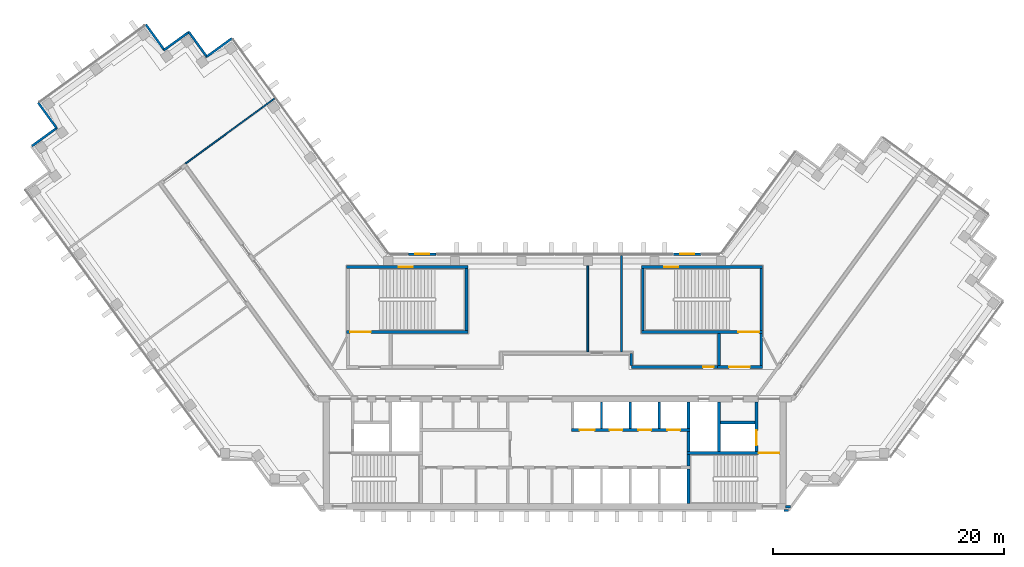
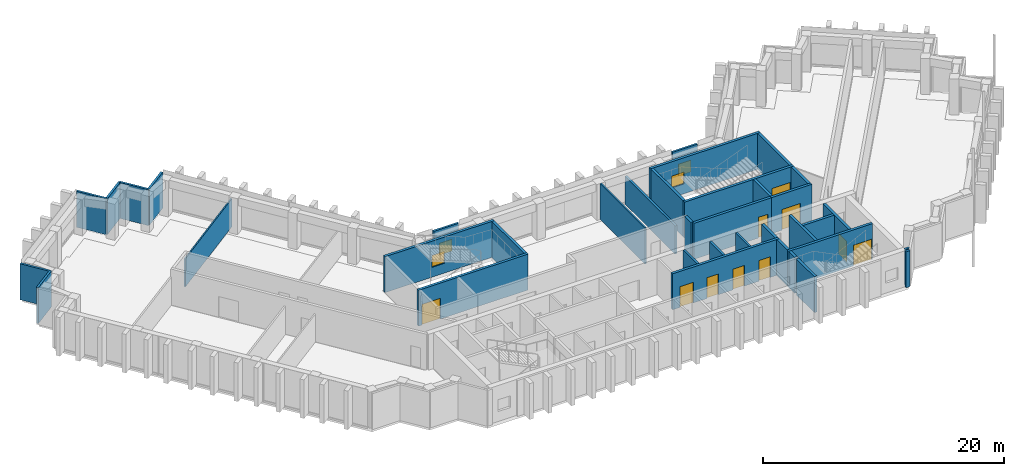
# One storey, part 6 of 9: 37 walls, 10 doors, 4 windows, 14 openings.
"""IFC4 building model written with IfcOpenShell, lengths in metres."""

from ifc_helpers import new_model, si_unit, direction, frame, frame_2d, origin, place, context, subcontext, project, spatial, rectangle, extrude, material, layer, layer_set, type_object, element, fill, save


model = new_model("IFC4")

# Units and contexts
model_context = context("Model", 3, precision=1e-05, world=origin(), true_north=direction((0.0, 1.0)))
body_context = subcontext(model_context, "Body", "Model", "MODEL_VIEW")
ifc_project = project(units=[si_unit("LENGTHUNIT", "METRE"), si_unit("AREAUNIT", "SQUARE_METRE"), si_unit("VOLUMEUNIT", "CUBIC_METRE"), si_unit("PLANEANGLEUNIT", "RADIAN"), si_unit("MASSUNIT", "GRAM", prefix="KILO")], contexts=[model_context])

# Site, building, storey
site_placement = place(None, origin())
site = spatial("IfcSite", under=ifc_project, at=site_placement, CompositionType="ELEMENT")
building_placement = place(site_placement, origin())
building = spatial("IfcBuilding", under=site, at=building_placement, Name="Quipu Civic Tower", CompositionType="ELEMENT")
storey_placement = place(building_placement, frame((0.0, 0.0, 226.0)))
storey = spatial("IfcBuildingStorey", under=building, at=storey_placement, Name="L53", CompositionType="ELEMENT", Elevation=226.0)

# Walls
ifc_material_1 = material(Name="Double gypsum plasterboard with mineral wool")
ifc_layer_1 = layer(ifc_material_1, 0.14990234375)
ifc_layer_set_1 = layer_set([ifc_layer_1], Name="Double gypsum plasterboard with mineral wool")
wall_type_1 = type_object("IfcWallType", Name="Acoustic partition 150 plasterboard", PredefinedType="PARTITIONING", material=ifc_layer_set_1)
wall_1_placement = place(storey_placement, frame((2.85888671875, 2.64990234375, 0.0), z_axis=(0.0, 0.0, 1.0), x_axis=(0.0, 1.0, 0.0)))
element("IfcWall", 1, at=wall_1_placement, inside=storey, type_object=wall_type_1, Name="Partition P04", PredefinedType="PARTITIONING", context=body_context, shape_type="SweptSolid", body=[
    extrude(rectangle(XDim=7.445068359375, YDim=0.14990234375, at=frame_2d((3.72265625, 0.0))), origin(), (0.0, 0.0, 1.0), 3.64990234375),
])
ifc_material_2 = material(Name="Fired clay blockwork", Category="masonry")
ifc_layer_2 = layer(ifc_material_2, 0.199951171875)
ifc_layer_set_2 = layer_set([ifc_layer_2], Name="Fired clay blockwork")
wall_type_2 = type_object("IfcWallType", Name="Blockwork wall 200", PredefinedType="SOLIDWALL", material=ifc_layer_set_2)
wall_2_placement = place(storey_placement, frame((5.778076171875, 11.0, 0.0), z_axis=(0.0, 0.0, 1.0), x_axis=(0.0, -1.0, 0.0)))
element("IfcWall", 2, at=wall_2_placement, inside=storey, type_object=wall_type_2, Name="Partition P07", PredefinedType="SOLIDWALL", context=body_context, shape_type="SweptSolid", body=[
    extrude(rectangle(XDim=8.35009765625, YDim=0.199951171875, at=frame_2d((4.175048828125, 0.0))), origin(), (0.0, 0.0, 1.0), 2.85009765625),
])
ifc_material_3 = material(Name="Concrete C70/85", Category="concrete")
ifc_layer_3 = layer(ifc_material_3, 0.25)
ifc_layer_set_3 = layer_set([ifc_layer_3], Name="Concrete C70/85")
wall_type_3 = type_object("IfcWallType", Name="Core wall 250", PredefinedType="SHEAR", material=ifc_layer_set_3)
wall_3_placement = place(storey_placement, frame((11.574951171875, -10.5, 0.0), z_axis=(0.0, 0.0, 1.0), x_axis=(0.0, 1.0, 0.0)))
element("IfcWall", 3, at=wall_3_placement, inside=storey, type_object=wall_type_3, Name="Core wall", PredefinedType="SHEAR", context=body_context, shape_type="SweptSolid", body=[
    extrude(rectangle(XDim=3.0, YDim=0.25, at=frame_2d((1.5, 0.0))), origin(), (0.0, 0.0, 1.0), 3.64990234375),
])
wall_4_placement = place(storey_placement, frame((11.574951171875, -7.25, 0.0), z_axis=(0.0, 0.0, 1.0), x_axis=(0.0, 1.0, 0.0)))
element("IfcWall", 4, at=wall_4_placement, inside=storey, type_object=wall_type_3, Name="Core wall", PredefinedType="SHEAR", context=body_context, shape_type="SweptSolid", body=[
    extrude(rectangle(XDim=1.0, YDim=0.25, at=frame_2d((0.5, 0.0))), origin(), (0.0, 0.0, 1.0), 3.64990234375),
])

# Wall, opening, door
wall_5_placement = place(storey_placement, frame((19.5, -6.125, 0.0), z_axis=(0.0, 0.0, 1.0), x_axis=(-1.0, 0.0, 0.0)))
wall_5 = element("IfcWall", 5, at=wall_5_placement, inside=storey, type_object=wall_type_3, Name="Core wall", PredefinedType="SHEAR", context=body_context, shape_type="SweptSolid", body=[
    extrude(rectangle(XDim=8.050048828125, YDim=0.25, at=frame_2d((4.02490234375, 0.0))), origin(), (0.0, 0.0, 1.0), 3.64990234375),
])
opening_1_placement = place(wall_5_placement, frame((0.050048828125, 0.0, 0.0)))
opening_1 = element("IfcOpeningElement", 6, at=opening_1_placement, cuts=wall_5, Name="Opening CD-08", PredefinedType="OPENING", context=body_context, shape_type="SweptSolid", body=[
    extrude(rectangle(XDim=1.800048828125, YDim=2.10009765625, at=frame_2d((0.89990234375, 1.050048828125))), frame((0.0, 0.135009765625, 0.0), z_axis=(0.0, -1.0, 0.0), x_axis=(1.0, 0.0, 0.0)), (0.0, 0.0, 1.0), 0.27001953125),
])
ifc_material_4 = material(Name="Fire rated steel door", Category="steel")
door_type_1 = type_object("IfcDoorType", Name="Fire door FD90 double 1800 x 2100", OperationType="NOTDEFINED", PredefinedType="DOOR", material=ifc_material_4)
door_1_placement = place(opening_1_placement, origin())
door_1 = element("IfcDoor", 7, at=door_1_placement, inside=storey, type_object=door_type_1, Name="Door", OperationType="DOUBLE_DOOR_SINGLE_SWING", OverallHeight=2.10009765625, OverallWidth=1.800048828125, PredefinedType="DOOR", context=body_context, shape_type="SweptSolid", body=[
    extrude(rectangle(XDim=1.800048828125, YDim=2.10009765625, at=frame_2d((0.89990234375, 1.050048828125))), frame((0.0, 0.02490234375, 0.0), z_axis=(0.0, -1.0, 0.0), x_axis=(1.0, 0.0, 0.0)), (0.0, 0.0, 1.0), 0.050048828125),
])
fill(opening_1, door_1)

# Walls
wall_6_placement = place(storey_placement, frame((11.574951171875, -6.0, 0.0), z_axis=(0.0, 0.0, 1.0), x_axis=(0.0, 1.0, 0.0)))
element("IfcWall", 8, at=wall_6_placement, inside=storey, type_object=wall_type_3, Name="Core wall", PredefinedType="SHEAR", context=body_context, shape_type="SweptSolid", body=[
    extrude(rectangle(XDim=1.75, YDim=0.25, at=frame_2d((0.875, 0.0))), origin(), (0.0, 0.0, 1.0), 3.64990234375),
])
wall_7_placement = place(storey_placement, frame((14.22509765625, -6.0, 0.0), z_axis=(0.0, 0.0, 1.0), x_axis=(0.0, 1.0, 0.0)))
element("IfcWall", 9, at=wall_7_placement, inside=storey, type_object=wall_type_3, Name="Core wall", PredefinedType="SHEAR", context=body_context, shape_type="SweptSolid", body=[
    extrude(rectangle(XDim=4.300048828125, YDim=0.25, at=frame_2d((2.14990234375, 0.0))), origin(), (0.0, 0.0, 1.0), 3.64990234375),
])

# Wall, opening, door
wall_8_placement = place(storey_placement, frame((17.47509765625, -6.0, 0.0), z_axis=(0.0, 0.0, 1.0), x_axis=(0.0, 1.0, 0.0)))
wall_8 = element("IfcWall", 10, at=wall_8_placement, inside=storey, type_object=wall_type_3, Name="Core wall", PredefinedType="SHEAR", context=body_context, shape_type="SweptSolid", body=[
    extrude(rectangle(XDim=4.300048828125, YDim=0.25, at=frame_2d((2.14990234375, 0.0))), origin(), (0.0, 0.0, 1.0), 3.64990234375),
])
opening_2_placement = place(wall_8_placement, frame((0.550048828125, 0.0, 0.0)))
opening_2 = element("IfcOpeningElement", 11, at=opening_2_placement, cuts=wall_8, Name="Opening LD-FF2", PredefinedType="OPENING", context=body_context, shape_type="SweptSolid", body=[
    extrude(rectangle(XDim=1.300048828125, YDim=2.10009765625, at=frame_2d((0.64990234375, 1.050048828125))), frame((0.0, 0.135009765625, 0.0), z_axis=(0.0, -1.0, 0.0), x_axis=(1.0, 0.0, 0.0)), (0.0, 0.0, 1.0), 0.27001953125),
])
ifc_material_5 = material(Name="Stainless steel", Category="steel")
door_type_2 = type_object("IfcDoorType", Name="Lift landing door 1300 x 2100", OperationType="DOUBLE_DOOR_SLIDING", PredefinedType="DOOR", material=ifc_material_5)
door_2_placement = place(opening_2_placement, origin())
door_2 = element("IfcDoor", 12, at=door_2_placement, inside=storey, type_object=door_type_2, Name="Landing door FF2", OperationType="DOUBLE_DOOR_SLIDING", OverallHeight=2.10009765625, OverallWidth=1.300048828125, PredefinedType="DOOR", context=body_context, shape_type="SweptSolid", body=[
    extrude(rectangle(XDim=1.300048828125, YDim=2.10009765625, at=frame_2d((0.64990234375, 1.050048828125))), frame((0.0, 0.02490234375, 0.0), z_axis=(0.0, -1.0, 0.0), x_axis=(1.0, 0.0, 0.0)), (0.0, 0.0, 1.0), 0.050048828125),
])
fill(opening_2, door_2)

# Wall, openings, doors
wall_9_placement = place(storey_placement, frame((1.449951171875, -4.125, 0.0), z_axis=(0.0, 0.0, 1.0), x_axis=(1.0, 0.0, 0.0)))
wall_9 = element("IfcWall", 13, at=wall_9_placement, inside=storey, type_object=wall_type_3, Name="Core wall", PredefinedType="SHEAR", context=body_context, shape_type="SweptSolid", body=[
    extrude(rectangle(XDim=10.25, YDim=0.25, at=frame_2d((5.125, 0.0))), origin(), (0.0, 0.0, 1.0), 3.64990234375),
])
opening_3_placement = place(wall_9_placement, frame((0.699951171875, 0.0, 0.0)))
opening_3 = element("IfcOpeningElement", 14, at=opening_3_placement, cuts=wall_9, Name="Opening LD-FF3", PredefinedType="OPENING", context=body_context, shape_type="SweptSolid", body=[
    extrude(rectangle(XDim=1.300048828125, YDim=2.10009765625, at=frame_2d((0.64990234375, 1.050048828125))), frame((0.0, 0.135009765625, 0.0), z_axis=(0.0, -1.0, 0.0), x_axis=(1.0, 0.0, 0.0)), (0.0, 0.0, 1.0), 0.27001953125),
])
opening_4_placement = place(wall_9_placement, frame((3.300048828125, 0.0, 0.0)))
opening_4 = element("IfcOpeningElement", 15, at=opening_4_placement, cuts=wall_9, Name="Opening LD-ML5", PredefinedType="OPENING", context=body_context, shape_type="SweptSolid", body=[
    extrude(rectangle(XDim=1.10009765625, YDim=2.10009765625, at=frame_2d((0.550048828125, 1.050048828125))), frame((0.0, 0.135009765625, 0.0), z_axis=(0.0, -1.0, 0.0), x_axis=(1.0, 0.0, 0.0)), (0.0, 0.0, 1.0), 0.27001953125),
])
opening_5_placement = place(wall_9_placement, frame((5.800048828125, 0.0, 0.0)))
opening_5 = element("IfcOpeningElement", 16, at=opening_5_placement, cuts=wall_9, Name="Opening LD-ML6", PredefinedType="OPENING", context=body_context, shape_type="SweptSolid", body=[
    extrude(rectangle(XDim=1.10009765625, YDim=2.10009765625, at=frame_2d((0.550048828125, 1.050048828125))), frame((0.0, 0.135009765625, 0.0), z_axis=(0.0, -1.0, 0.0), x_axis=(1.0, 0.0, 0.0)), (0.0, 0.0, 1.0), 0.27001953125),
])
opening_6_placement = place(wall_9_placement, frame((8.300048828125, 0.0, 0.0)))
opening_6 = element("IfcOpeningElement", 17, at=opening_6_placement, cuts=wall_9, Name="Opening LD-ML7", PredefinedType="OPENING", context=body_context, shape_type="SweptSolid", body=[
    extrude(rectangle(XDim=1.10009765625, YDim=2.10009765625, at=frame_2d((0.550048828125, 1.050048828125))), frame((0.0, 0.135009765625, 0.0), z_axis=(0.0, -1.0, 0.0), x_axis=(1.0, 0.0, 0.0)), (0.0, 0.0, 1.0), 0.27001953125),
])
ifc_material_6 = material(Name="Stainless steel", Category="steel")
door_type_3 = type_object("IfcDoorType", Name="Lift landing door 1100 x 2100", OperationType="DOUBLE_DOOR_SLIDING", PredefinedType="DOOR", material=ifc_material_6)
door_3_placement = place(opening_4_placement, origin())
door_3 = element("IfcDoor", 18, at=door_3_placement, inside=storey, type_object=door_type_3, Name="Landing door ML5", OperationType="DOUBLE_DOOR_SLIDING", OverallHeight=2.10009765625, OverallWidth=1.10009765625, PredefinedType="DOOR", context=body_context, shape_type="SweptSolid", body=[
    extrude(rectangle(XDim=1.10009765625, YDim=2.10009765625, at=frame_2d((0.550048828125, 1.050048828125))), frame((0.0, 0.02490234375, 0.0), z_axis=(0.0, -1.0, 0.0), x_axis=(1.0, 0.0, 0.0)), (0.0, 0.0, 1.0), 0.050048828125),
])
fill(opening_4, door_3)
door_4_placement = place(opening_5_placement, origin())
door_4 = element("IfcDoor", 19, at=door_4_placement, inside=storey, type_object=door_type_3, Name="Landing door ML6", OperationType="DOUBLE_DOOR_SLIDING", OverallHeight=2.10009765625, OverallWidth=1.10009765625, PredefinedType="DOOR", context=body_context, shape_type="SweptSolid", body=[
    extrude(rectangle(XDim=1.10009765625, YDim=2.10009765625, at=frame_2d((0.550048828125, 1.050048828125))), frame((0.0, 0.02490234375, 0.0), z_axis=(0.0, -1.0, 0.0), x_axis=(1.0, 0.0, 0.0)), (0.0, 0.0, 1.0), 0.050048828125),
])
fill(opening_5, door_4)
door_5_placement = place(opening_6_placement, origin())
door_5 = element("IfcDoor", 20, at=door_5_placement, inside=storey, type_object=door_type_3, Name="Landing door ML7", OperationType="DOUBLE_DOOR_SLIDING", OverallHeight=2.10009765625, OverallWidth=1.10009765625, PredefinedType="DOOR", context=body_context, shape_type="SweptSolid", body=[
    extrude(rectangle(XDim=1.10009765625, YDim=2.10009765625, at=frame_2d((0.550048828125, 1.050048828125))), frame((0.0, 0.02490234375, 0.0), z_axis=(0.0, -1.0, 0.0), x_axis=(1.0, 0.0, 0.0)), (0.0, 0.0, 1.0), 0.050048828125),
])
fill(opening_6, door_5)
door_6_placement = place(opening_3_placement, origin())
door_6 = element("IfcDoor", 21, at=door_6_placement, inside=storey, type_object=door_type_2, Name="Landing door FF3", OperationType="DOUBLE_DOOR_SLIDING", OverallHeight=2.10009765625, OverallWidth=1.300048828125, PredefinedType="DOOR", context=body_context, shape_type="SweptSolid", body=[
    extrude(rectangle(XDim=1.300048828125, YDim=2.10009765625, at=frame_2d((0.64990234375, 1.050048828125))), frame((0.0, 0.02490234375, 0.0), z_axis=(0.0, -1.0, 0.0), x_axis=(1.0, 0.0, 0.0)), (0.0, 0.0, 1.0), 0.050048828125),
])
fill(opening_3, door_6)

# Walls
wall_10_placement = place(storey_placement, frame((11.574951171875, -4.0, 0.0), z_axis=(0.0, 0.0, 1.0), x_axis=(0.0, 1.0, 0.0)))
element("IfcWall", 22, at=wall_10_placement, inside=storey, type_object=wall_type_3, Name="Core wall", PredefinedType="SHEAR", context=body_context, shape_type="SweptSolid", body=[
    extrude(rectangle(XDim=2.300048828125, YDim=0.25, at=frame_2d((1.14990234375, 0.0))), origin(), (0.0, 0.0, 1.0), 3.64990234375),
])
wall_11_placement = place(storey_placement, frame((14.35009765625, -3.47509765625, 0.0), z_axis=(0.0, 0.0, 1.0), x_axis=(1.0, 0.0, 0.0)))
element("IfcWall", 23, at=wall_11_placement, inside=storey, type_object=wall_type_3, Name="Core wall", PredefinedType="SHEAR", context=body_context, shape_type="SweptSolid", body=[
    extrude(rectangle(XDim=3.0, YDim=0.25, at=frame_2d((1.5, 0.0))), origin(), (0.0, 0.0, 1.0), 3.64990234375),
])

# Wall, opening, door
wall_12_placement = place(storey_placement, frame((-18.0, 4.375, 0.0), z_axis=(0.0, 0.0, 1.0), x_axis=(1.0, 0.0, 0.0)))
wall_12 = element("IfcWall", 24, at=wall_12_placement, inside=storey, type_object=wall_type_3, Name="Core wall", PredefinedType="SHEAR", context=body_context, shape_type="SweptSolid", body=[
    extrude(rectangle(XDim=10.5, YDim=0.25, at=frame_2d((5.25, 0.0))), origin(), (0.0, 0.0, 1.0), 3.64990234375),
])
opening_7_placement = place(wall_12_placement, frame((0.300048828125, 0.0, 0.0)))
opening_7 = element("IfcOpeningElement", 25, at=opening_7_placement, cuts=wall_12, Name="Opening CD-22", PredefinedType="OPENING", context=body_context, shape_type="SweptSolid", body=[
    extrude(rectangle(XDim=1.800048828125, YDim=2.10009765625, at=frame_2d((0.89990234375, 1.050048828125))), frame((0.0, 0.135009765625, 0.0), z_axis=(0.0, -1.0, 0.0), x_axis=(1.0, 0.0, 0.0)), (0.0, 0.0, 1.0), 0.27001953125),
])
door_7_placement = place(opening_7_placement, origin())
door_7 = element("IfcDoor", 26, at=door_7_placement, inside=storey, type_object=door_type_1, Name="Door", OperationType="DOUBLE_DOOR_SINGLE_SWING", OverallHeight=2.10009765625, OverallWidth=1.800048828125, PredefinedType="DOOR", context=body_context, shape_type="SweptSolid", body=[
    extrude(rectangle(XDim=1.800048828125, YDim=2.10009765625, at=frame_2d((0.89990234375, 1.050048828125))), frame((0.0, 0.02490234375, 0.0), z_axis=(0.0, -1.0, 0.0), x_axis=(1.0, 0.0, 0.0)), (0.0, 0.0, 1.0), 0.050048828125),
])
fill(opening_7, door_7)

# Wall
wall_13_placement = place(storey_placement, frame((-7.625, 4.5, 0.0), z_axis=(0.0, 0.0, 1.0), x_axis=(0.0, 1.0, 0.0)))
element("IfcWall", 27, at=wall_13_placement, inside=storey, type_object=wall_type_3, Name="Core wall", PredefinedType="SHEAR", context=body_context, shape_type="SweptSolid", body=[
    extrude(rectangle(XDim=5.35009765625, YDim=0.25, at=frame_2d((2.675048828125, 0.0))), origin(), (0.0, 0.0, 1.0), 3.64990234375),
])

# Wall, opening, window
wall_14_placement = place(storey_placement, frame((-18.0, 9.97509765625, 0.0), z_axis=(0.0, 0.0, 1.0), x_axis=(1.0, 0.0, 0.0)))
wall_14 = element("IfcWall", 28, at=wall_14_placement, inside=storey, type_object=wall_type_3, Name="Core wall", PredefinedType="SHEAR", context=body_context, shape_type="SweptSolid", body=[
    extrude(rectangle(XDim=10.5, YDim=0.25, at=frame_2d((5.25, 0.0))), origin(), (0.0, 0.0, 1.0), 3.64990234375),
])
opening_8_placement = place(wall_14_placement, frame((4.5, 0.0, 1.0)))
opening_8 = element("IfcOpeningElement", 29, at=opening_8_placement, cuts=wall_14, Name="Opening SV-3", PredefinedType="OPENING", context=body_context, shape_type="SweptSolid", body=[
    extrude(rectangle(XDim=1.199951171875, YDim=1.199951171875, at=frame_2d((0.60009765625, 0.60009765625))), frame((0.0, 0.135009765625, 0.0), z_axis=(0.0, -1.0, 0.0), x_axis=(1.0, 0.0, 0.0)), (0.0, 0.0, 1.0), 0.27001953125),
])
ifc_material_7 = material(Name="Aluminium louvre", Category="aluminium")
window_type_1 = type_object("IfcWindowType", Name="Stair ventilation louvre 1200 x 1200", PartitioningType="SINGLE_PANEL", PredefinedType="WINDOW", material=ifc_material_7)
window_1_placement = place(opening_8_placement, origin())
window_1 = element("IfcWindow", 30, at=window_1_placement, inside=storey, type_object=window_type_1, Name="Stair ventilation opening", OverallHeight=1.199951171875, OverallWidth=1.199951171875, PartitioningType="SINGLE_PANEL", PredefinedType="WINDOW", context=body_context, shape_type="SweptSolid", body=[
    extrude(rectangle(XDim=1.199951171875, YDim=1.199951171875, at=frame_2d((0.60009765625, 0.60009765625))), frame((0.0, 0.030029296875, 0.0), z_axis=(0.0, -1.0, 0.0), x_axis=(1.0, 0.0, 0.0)), (0.0, 0.0, 1.0), 0.06005859375),
])
fill(opening_8, window_1)

# Wall, opening, door
wall_15_placement = place(storey_placement, frame((14.10009765625, 1.324951171875, 0.0), z_axis=(0.0, 0.0, 1.0), x_axis=(1.0, 0.0, 0.0)))
wall_15 = element("IfcWall", 31, at=wall_15_placement, inside=storey, type_object=wall_type_3, Name="Core wall", PredefinedType="SHEAR", context=body_context, shape_type="SweptSolid", body=[
    extrude(rectangle(XDim=3.89990234375, YDim=0.25, at=frame_2d((1.949951171875, 0.0))), origin(), (0.0, 0.0, 1.0), 3.64990234375),
])
opening_9_placement = place(wall_15_placement, frame((1.0, 0.0, 0.0)))
opening_9 = element("IfcOpeningElement", 32, at=opening_9_placement, cuts=wall_15, Name="Opening CD-23", PredefinedType="OPENING", context=body_context, shape_type="SweptSolid", body=[
    extrude(rectangle(XDim=1.800048828125, YDim=2.10009765625, at=frame_2d((0.89990234375, 1.050048828125))), frame((0.0, 0.135009765625, 0.0), z_axis=(0.0, -1.0, 0.0), x_axis=(1.0, 0.0, 0.0)), (0.0, 0.0, 1.0), 0.27001953125),
])
door_8_placement = place(opening_9_placement, origin())
door_8 = element("IfcDoor", 33, at=door_8_placement, inside=storey, type_object=door_type_1, Name="Lobby door", OperationType="DOUBLE_DOOR_SINGLE_SWING", OverallHeight=2.10009765625, OverallWidth=1.800048828125, PredefinedType="DOOR", context=body_context, shape_type="SweptSolid", body=[
    extrude(rectangle(XDim=1.800048828125, YDim=2.10009765625, at=frame_2d((0.89990234375, 1.050048828125))), frame((0.0, 0.02490234375, 0.0), z_axis=(0.0, -1.0, 0.0), x_axis=(1.0, 0.0, 0.0)), (0.0, 0.0, 1.0), 0.050048828125),
])
fill(opening_9, door_8)

# Walls
for number, where, z_axis, x_axis, name in (
    (34, (14.22509765625, 1.449951171875, 0.0), (0.0, 0.0, 1.0), (0.0, 1.0, 0.0), "Core wall"),
    (35, (17.875, 1.449951171875, 0.0), (0.0, 0.0, 1.0), (0.0, 1.0, 0.0), "Core wall"),
):
    element("IfcWall", number, at=place(storey_placement, frame(where, z_axis=z_axis, x_axis=x_axis)), inside=storey, type_object=wall_type_3, Name=name, PredefinedType="SHEAR", context=body_context, shape_type="SweptSolid", body=[
        extrude(rectangle(XDim=2.800048828125, YDim=0.25, at=frame_2d((1.39990234375, 0.0))), origin(), (0.0, 0.0, 1.0), 3.64990234375),
    ])

# Wall, opening, door
wall_16_placement = place(storey_placement, frame((7.5, 4.375, 0.0), z_axis=(0.0, 0.0, 1.0), x_axis=(1.0, 0.0, 0.0)))
wall_16 = element("IfcWall", 36, at=wall_16_placement, inside=storey, type_object=wall_type_3, Name="Core wall", PredefinedType="SHEAR", context=body_context, shape_type="SweptSolid", body=[
    extrude(rectangle(XDim=10.5, YDim=0.25, at=frame_2d((5.25, 0.0))), origin(), (0.0, 0.0, 1.0), 3.64990234375),
])
opening_10_placement = place(wall_16_placement, frame((8.39990234375, 0.0, 0.0)))
opening_10 = element("IfcOpeningElement", 37, at=opening_10_placement, cuts=wall_16, Name="Opening CD-24", PredefinedType="OPENING", context=body_context, shape_type="SweptSolid", body=[
    extrude(rectangle(XDim=1.800048828125, YDim=2.10009765625, at=frame_2d((0.89990234375, 1.050048828125))), frame((0.0, 0.135009765625, 0.0), z_axis=(0.0, -1.0, 0.0), x_axis=(1.0, 0.0, 0.0)), (0.0, 0.0, 1.0), 0.27001953125),
])
door_9_placement = place(opening_10_placement, origin())
door_9 = element("IfcDoor", 38, at=door_9_placement, inside=storey, type_object=door_type_1, Name="Door", OperationType="DOUBLE_DOOR_SINGLE_SWING", OverallHeight=2.10009765625, OverallWidth=1.800048828125, PredefinedType="DOOR", context=body_context, shape_type="SweptSolid", body=[
    extrude(rectangle(XDim=1.800048828125, YDim=2.10009765625, at=frame_2d((0.89990234375, 1.050048828125))), frame((0.0, 0.02490234375, 0.0), z_axis=(0.0, -1.0, 0.0), x_axis=(1.0, 0.0, 0.0)), (0.0, 0.0, 1.0), 0.050048828125),
])
fill(opening_10, door_9)

# Walls
for number, where, z_axis, x_axis, name in (
    (39, (7.625, 4.5, 0.0), (0.0, 0.0, 1.0), (0.0, 1.0, 0.0), "Core wall"),
    (40, (17.875, 4.5, 0.0), (0.0, 0.0, 1.0), (0.0, 1.0, 0.0), "Core wall"),
):
    element("IfcWall", number, at=place(storey_placement, frame(where, z_axis=z_axis, x_axis=x_axis)), inside=storey, type_object=wall_type_3, Name=name, PredefinedType="SHEAR", context=body_context, shape_type="SweptSolid", body=[
        extrude(rectangle(XDim=5.35009765625, YDim=0.25, at=frame_2d((2.675048828125, 0.0))), origin(), (0.0, 0.0, 1.0), 3.64990234375),
    ])

# Wall, opening, window
wall_17_placement = place(storey_placement, frame((7.5, 9.97509765625, 0.0), z_axis=(0.0, 0.0, 1.0), x_axis=(1.0, 0.0, 0.0)))
wall_17 = element("IfcWall", 41, at=wall_17_placement, inside=storey, type_object=wall_type_3, Name="Core wall", PredefinedType="SHEAR", context=body_context, shape_type="SweptSolid", body=[
    extrude(rectangle(XDim=10.5, YDim=0.25, at=frame_2d((5.25, 0.0))), origin(), (0.0, 0.0, 1.0), 3.64990234375),
])
opening_11_placement = place(wall_17_placement, frame((2.0, 0.0, 1.0)))
opening_11 = element("IfcOpeningElement", 42, at=opening_11_placement, cuts=wall_17, Name="Opening SV-4", PredefinedType="OPENING", context=body_context, shape_type="SweptSolid", body=[
    extrude(rectangle(XDim=1.199951171875, YDim=1.199951171875, at=frame_2d((0.60009765625, 0.60009765625))), frame((0.0, 0.135009765625, 0.0), z_axis=(0.0, -1.0, 0.0), x_axis=(1.0, 0.0, 0.0)), (0.0, 0.0, 1.0), 0.27001953125),
])
window_2_placement = place(opening_11_placement, origin())
window_2 = element("IfcWindow", 43, at=window_2_placement, inside=storey, type_object=window_type_1, Name="Stair ventilation opening", OverallHeight=1.199951171875, OverallWidth=1.199951171875, PartitioningType="SINGLE_PANEL", PredefinedType="WINDOW", context=body_context, shape_type="SweptSolid", body=[
    extrude(rectangle(XDim=1.199951171875, YDim=1.199951171875, at=frame_2d((0.60009765625, 0.60009765625))), frame((0.0, 0.030029296875, 0.0), z_axis=(0.0, -1.0, 0.0), x_axis=(1.0, 0.0, 0.0)), (0.0, 0.0, 1.0), 0.06005859375),
])
fill(opening_11, window_2)

# Wall, opening, door
ifc_material_8 = material(Name="Concrete C50/60", Category="concrete")
ifc_layer_4 = layer(ifc_material_8, 0.25)
ifc_layer_set_4 = layer_set([ifc_layer_4], Name="Concrete C50/60")
wall_type_4 = type_object("IfcWallType", Name="Corridor wall 250 concrete", PredefinedType="SOLIDWALL", material=ifc_layer_set_4)
wall_18_placement = place(storey_placement, frame((6.65869140625, 1.324951171875, 0.0), z_axis=(0.0, 0.0, 1.0), x_axis=(1.0, 0.0, 0.0)))
wall_18 = element("IfcWall", 44, at=wall_18_placement, inside=storey, type_object=wall_type_4, Name="Corridor wall C01", PredefinedType="SOLIDWALL", context=body_context, shape_type="SweptSolid", body=[
    extrude(rectangle(XDim=7.431396484375, YDim=0.25, at=frame_2d((3.7158203125, 0.0))), origin(), (0.0, 0.0, 1.0), 3.64990234375),
])
opening_12_placement = place(wall_18_placement, frame((6.19140625, 0.0, 0.0)))
opening_12 = element("IfcOpeningElement", 45, at=opening_12_placement, cuts=wall_18, Name="Opening D005", PredefinedType="OPENING", context=body_context, shape_type="SweptSolid", body=[
    extrude(rectangle(XDim=0.89990234375, YDim=2.10009765625, at=frame_2d((0.449951171875, 1.050048828125))), frame((0.0, 0.135009765625, 0.0), z_axis=(0.0, -1.0, 0.0), x_axis=(1.0, 0.0, 0.0)), (0.0, 0.0, 1.0), 0.27001953125),
])
ifc_material_9 = material(Name="Fire rated timber door set with metal frame", Category="wood")
door_type_4 = type_object("IfcDoorType", Name="Single door 900 x 2100 FD60", OperationType="NOTDEFINED", PredefinedType="DOOR", material=ifc_material_9)
door_10_placement = place(opening_12_placement, origin())
door_10 = element("IfcDoor", 46, at=door_10_placement, inside=storey, type_object=door_type_4, Name="Door D005", OperationType="SINGLE_SWING_RIGHT", OverallHeight=2.10009765625, OverallWidth=0.89990234375, PredefinedType="DOOR", context=body_context, shape_type="SweptSolid", body=[
    extrude(rectangle(XDim=0.89990234375, YDim=2.10009765625, at=frame_2d((0.449951171875, 1.050048828125))), frame((0.0, 0.02490234375, 0.0), z_axis=(0.0, -1.0, 0.0), x_axis=(1.0, 0.0, 0.0)), (0.0, 0.0, 1.0), 0.050048828125),
])
fill(opening_12, door_10)

# Walls
wall_19_placement = place(storey_placement, frame((6.625, 2.483642578125, 0.0), z_axis=(0.0, 0.0, 1.0), x_axis=(0.0, -1.0, 0.0)))
element("IfcWall", 47, at=wall_19_placement, inside=storey, type_object=wall_type_4, Name="Corridor wall C10", PredefinedType="SOLIDWALL", context=body_context, shape_type="SweptSolid", body=[
    extrude(rectangle(XDim=1.030029296875, YDim=0.25, at=frame_2d((0.51513671875, 0.0))), origin(), (0.0, 0.0, 1.0), 3.64990234375),
])
ifc_material_10 = material(Name="Gypsum plasterboard on light gauge framing")
ifc_layer_5 = layer(ifc_material_10, 0.1201171875)
ifc_layer_set_5 = layer_set([ifc_layer_5], Name="Gypsum plasterboard on light gauge framing")
wall_type_5 = type_object("IfcWallType", Name="Partition 120 plasterboard", PredefinedType="PARTITIONING", material=ifc_layer_set_5)
wall_20_placement = place(storey_placement, frame((-31.97998046875, 18.922119140625, 0.0), z_axis=(0.0, 0.0, 1.0), x_axis=(0.807588329082, 0.589746632657, 0.0)))
element("IfcWall", 48, at=wall_20_placement, inside=storey, type_object=wall_type_5, Name="Partition P02", PredefinedType="PARTITIONING", context=body_context, shape_type="SweptSolid", body=[
    extrude(rectangle(XDim=9.56982421875, YDim=0.1201171875, at=frame_2d((4.784912109375, 0.0))), origin(), (0.0, 0.0, 1.0), 2.85009765625),
])
ifc_material_11 = material(Name="Precast concrete C40/50", Category="concrete")
wall_type_6 = type_object("IfcWallType", Name="Precast cladding wall", PredefinedType="SOLIDWALL", material=ifc_material_11)
for number, where, z_axis, x_axis, name in (
    (49, (-27.92138671875, 29.787109375, 0.0), (0.0, 0.0, 1.0), (-0.809033161865, -0.587762999008, 0.0), "Precast cladding wall L53 P02"),
    (50, (-30.08349609375, 28.149169921875, 0.0), (0.0, 0.0, 1.0), (-0.587762999008, 0.809033161865, 0.0), "Precast cladding wall L53 P03"),
    (51, (-31.653564453125, 30.330810546875, 0.0), (0.0, 0.0, 1.0), (-0.809033161865, -0.587762999008, 0.0), "Precast cladding wall L53 P04"),
    (52, (-33.80078125, 28.785888671875, 0.0), (0.0, 0.0, 1.0), (-0.587762999008, 0.809033161865, 0.0), "Precast cladding wall L53 P05"),
    (53, (-44.699462890625, 24.20458984375, 0.0), (0.0, 0.0, 1.0), (0.587762999008, -0.809033161865, 0.0), "Precast cladding wall L53 P07"),
    (54, (-43.060791015625, 22.04296875, 0.0), (0.0, 0.0, 1.0), (-0.809033161865, -0.587762999008, 0.0), "Precast cladding wall L53 P08"),
):
    element("IfcWall", number, at=place(storey_placement, frame(where, z_axis=z_axis, x_axis=x_axis)), inside=storey, type_object=wall_type_6, Name=name, PredefinedType="SOLIDWALL", context=body_context, shape_type="SweptSolid", body=[
        extrude(rectangle(XDim=2.699951171875, YDim=0.199951171875, at=frame_2d((1.35009765625, 0.0))), origin(), (0.0, 0.0, 1.0), 3.64990234375),
    ])
wall_21_placement = place(storey_placement, frame((19.85009765625, -11.087890625, 0.0), z_axis=(0.0, 0.0, 1.0), x_axis=(1.0, 0.0, 0.0)))
element("IfcWall", 55, at=wall_21_placement, inside=storey, type_object=wall_type_6, Name="Precast cladding wall L53 P19", PredefinedType="SOLIDWALL", context=body_context, shape_type="SweptSolid", body=[
    extrude(rectangle(XDim=0.40576171875, YDim=0.199951171875, at=frame_2d((0.202880859375, 0.0))), origin(), (0.0, 0.0, 1.0), 3.64990234375),
])

# Wall, opening, window
wall_22_placement = place(storey_placement, frame((12.655029296875, 11.10009765625, 0.0), z_axis=(0.0, 0.0, 1.0), x_axis=(-1.0, 0.0, 0.0)))
wall_22 = element("IfcWall", 56, at=wall_22_placement, inside=storey, type_object=wall_type_6, Name="Vent surround SF-L51-2", PredefinedType="SOLIDWALL", context=body_context, shape_type="SweptSolid", body=[
    extrude(rectangle(XDim=2.3916015625, YDim=0.199951171875, at=frame_2d((1.19580078125, 0.0))), origin(), (0.0, 0.0, 1.0), 3.64990234375),
])
opening_13_placement = place(wall_22_placement, frame((0.595703125, 0.0, 1.0)))
opening_13 = element("IfcOpeningElement", 57, at=opening_13_placement, cuts=wall_22, Name="Opening SF-L51-2", PredefinedType="OPENING", context=body_context, shape_type="SweptSolid", body=[
    extrude(rectangle(XDim=1.199951171875, YDim=1.199951171875, at=frame_2d((0.60009765625, 0.60009765625))), frame((0.0, 0.10986328125, 0.0), z_axis=(0.0, -1.0, 0.0), x_axis=(1.0, 0.0, 0.0)), (0.0, 0.0, 1.0), 0.219970703125),
])
ifc_material_12 = material(Name="Anodised aluminium louvre", Category="aluminium")
window_type_2 = type_object("IfcWindowType", Name="Stair vent louvre window P3", PartitioningType="SINGLE_PANEL", PredefinedType="WINDOW", material=ifc_material_12)
window_3_placement = place(opening_13_placement, origin())
window_3 = element("IfcWindow", 58, at=window_3_placement, inside=storey, type_object=window_type_2, Name="Stair vent louvre SF-L51-2", OverallHeight=1.199951171875, OverallWidth=1.199951171875, PartitioningType="SINGLE_PANEL", PredefinedType="WINDOW", context=body_context, shape_type="SweptSolid", body=[
    extrude(rectangle(XDim=1.199951171875, YDim=1.199951171875, at=frame_2d((0.60009765625, 0.60009765625))), frame((0.0, 0.030029296875, 0.0), z_axis=(0.0, -1.0, 0.0), x_axis=(1.0, 0.0, 0.0)), (0.0, 0.0, 1.0), 0.06005859375),
])
fill(opening_13, window_3)

wall_23_placement = place(storey_placement, frame((-10.263427734375, 11.10009765625, 0.0), z_axis=(0.0, 0.0, 1.0), x_axis=(-1.0, 0.0, 0.0)))
wall_23 = element("IfcWall", 59, at=wall_23_placement, inside=storey, type_object=wall_type_6, Name="Vent surround SF-L51-1", PredefinedType="SOLIDWALL", context=body_context, shape_type="SweptSolid", body=[
    extrude(rectangle(XDim=2.3916015625, YDim=0.199951171875, at=frame_2d((1.19580078125, 0.0))), origin(), (0.0, 0.0, 1.0), 3.64990234375),
])
opening_14_placement = place(wall_23_placement, frame((0.595703125, 0.0, 1.0)))
opening_14 = element("IfcOpeningElement", 60, at=opening_14_placement, cuts=wall_23, Name="Opening SF-L51-1", PredefinedType="OPENING", context=body_context, shape_type="SweptSolid", body=[
    extrude(rectangle(XDim=1.199951171875, YDim=1.199951171875, at=frame_2d((0.60009765625, 0.60009765625))), frame((0.0, 0.10986328125, 0.0), z_axis=(0.0, -1.0, 0.0), x_axis=(1.0, 0.0, 0.0)), (0.0, 0.0, 1.0), 0.219970703125),
])
window_4_placement = place(opening_14_placement, origin())
window_4 = element("IfcWindow", 61, at=window_4_placement, inside=storey, type_object=window_type_2, Name="Stair vent louvre SF-L51-1", OverallHeight=1.199951171875, OverallWidth=1.199951171875, PartitioningType="SINGLE_PANEL", PredefinedType="WINDOW", context=body_context, shape_type="SweptSolid", body=[
    extrude(rectangle(XDim=1.199951171875, YDim=1.199951171875, at=frame_2d((0.60009765625, 0.60009765625))), frame((0.0, 0.030029296875, 0.0), z_axis=(0.0, -1.0, 0.0), x_axis=(1.0, 0.0, 0.0)), (0.0, 0.0, 1.0), 0.06005859375),
])
fill(opening_14, window_4)

# Walls
wall_24_placement = place(storey_placement, frame((19.97998046875, -10.75, 0.0), z_axis=(0.0, 0.0, 1.0), x_axis=(1.0, 0.0, 0.0)))
element("IfcWall", 62, at=wall_24_placement, inside=storey, type_object=wall_type_6, Name="Precast cladding return L53 E", PredefinedType="SOLIDWALL", context=body_context, shape_type="SweptSolid", body=[
    extrude(rectangle(XDim=0.41650390625, YDim=0.199951171875, at=frame_2d((0.208251953125, 0.0))), origin(), (0.0, 0.0, 1.0), 3.64990234375),
])
ifc_material_13 = material(Name="Concrete C40/50", Category="concrete")
ifc_layer_6 = layer(ifc_material_13, 0.199951171875)
ifc_layer_set_6 = layer_set([ifc_layer_6], Name="Concrete C40/50")
wall_type_7 = type_object("IfcWallType", Name="Shaft wall 200", PredefinedType="SOLIDWALL", material=ifc_layer_set_6)
for number, where, z_axis, x_axis, name in (
    (63, (4.050048828125, -4.0, 0.0), (0.0, 0.0, 1.0), (0.0, 1.0, 0.0), "Shaft wall"),
    (64, (6.550048828125, -4.0, 0.0), (0.0, 0.0, 1.0), (0.0, 1.0, 0.0), "Shaft wall"),
    (65, (9.050048828125, -4.0, 0.0), (0.0, 0.0, 1.0), (0.0, 1.0, 0.0), "Shaft wall"),
):
    element("IfcWall", number, at=place(storey_placement, frame(where, z_axis=z_axis, x_axis=x_axis)), inside=storey, type_object=wall_type_7, Name=name, PredefinedType="SOLIDWALL", context=body_context, shape_type="SweptSolid", body=[
        extrude(rectangle(XDim=2.300048828125, YDim=0.199951171875, at=frame_2d((1.14990234375, 0.0))), origin(), (0.0, 0.0, 1.0), 3.64990234375),
    ])

save(model, "model.ifc")
